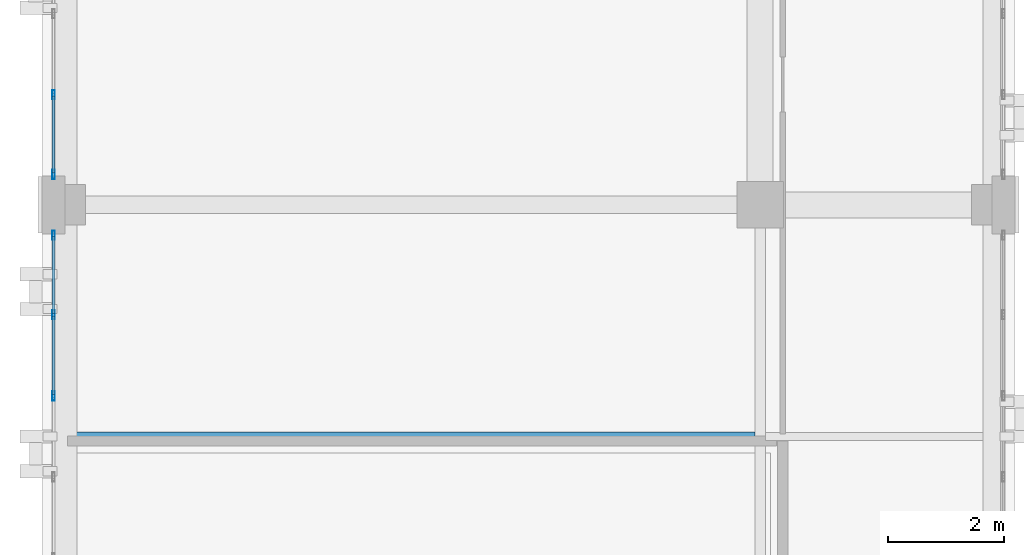
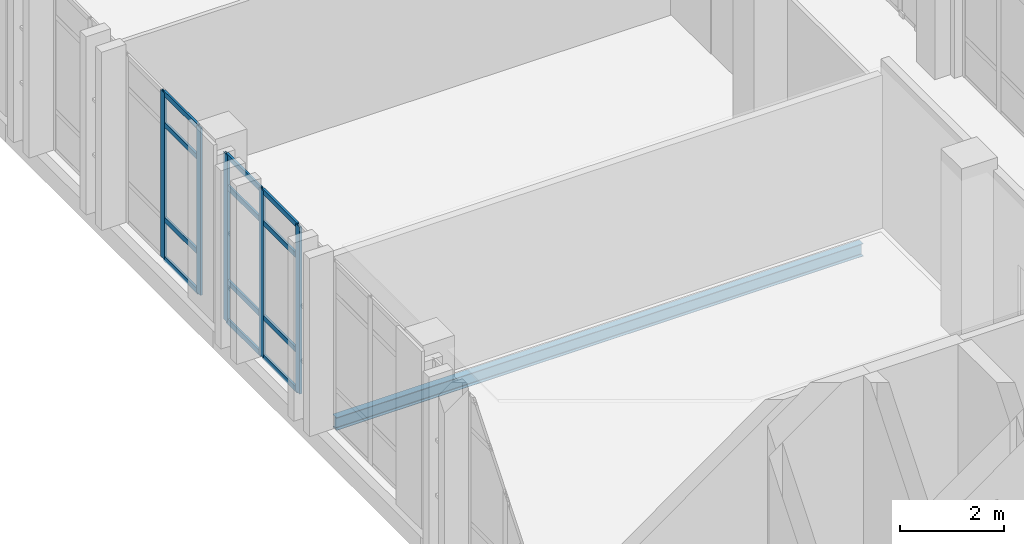
# One storey, part 37 of 158: 17 members, 1 beam, 2 elements without a shape of their own.
"""IFC4 building model written with IfcOpenShell, lengths in metres."""

import ifcopenshell
import ifcopenshell.guid

model = None  # the IFC model being written
_history = None  # IfcOwnerHistory: only IFC2X3 demands one
_inside = {}  # id of a spatial element -> (the spatial element, [elements in it])
_under = {}  # id of a project, library or spatial element -> (it, [spatial elements below it])
_declared = {}  # id of a project -> (the project, [libraries it declares])
_typed = {}  # id of a type object -> (the type object, [elements of that type])
_made_of = {}  # id of a material, layer set ... -> (it, [elements and type objects made of it])


def new_model(schema):
    """Start an empty IFC model of exactly this schema.

    Asked for "IFC4X3", IfcOpenShell would pick the latest addendum, in which some entities
    have other attributes; the version numbers below select the first issue.
    IFC2X3 requires an IfcOwnerHistory on every rooted entity: one is made here for all.
    """
    global model, _history
    if schema == "IFC4X3":
        model = ifcopenshell.file(schema_version=(4, 3, 0, 0))
    else:
        model = ifcopenshell.file(schema=schema)
    _inside.clear()
    _under.clear()
    _declared.clear()
    _typed.clear()
    _made_of.clear()
    _history = None
    if model.schema == "IFC2X3":
        org = make("IfcOrganization", Name="unknown")
        user = make(
            "IfcPersonAndOrganization",
            ThePerson=make("IfcPerson", FamilyName="unknown"),
            TheOrganization=org,
        )
        app = make(
            "IfcApplication",
            ApplicationDeveloper=org,
            Version="unknown",
            ApplicationFullName="unknown",
            ApplicationIdentifier="unknown",
        )
        _history = make(
            "IfcOwnerHistory",
            OwningUser=user,
            OwningApplication=app,
            ChangeAction="ADDED",
            CreationDate=0,
        )
    return model


def make(cls, **values):
    """One entity of the class cls with the attributes given. An attribute that is None is left unset."""
    return model.create_entity(
        cls, **{name: value for name, value in values.items() if value is not None}
    )


def rooted(cls, **values):
    """An entity with a GlobalId (a new one), such as an element, a storey or a relation."""
    return make(cls, GlobalId=ifcopenshell.guid.new(), OwnerHistory=_history, **values)


def si_unit(unit_type, name, prefix=None):
    """IfcSIUnit, for example si_unit("LENGTHUNIT", "METRE", prefix="MILLI")."""
    return make("IfcSIUnit", UnitType=unit_type, Prefix=prefix, Name=name)


def assignment(units):
    """IfcUnitAssignment: the units of a project."""
    return None if units is None else make("IfcUnitAssignment", Units=units)


def point(xyz):
    """IfcCartesianPoint."""
    return None if xyz is None else make("IfcCartesianPoint", Coordinates=xyz)


def direction(xyz):
    """IfcDirection."""
    return None if xyz is None else make("IfcDirection", DirectionRatios=xyz)


def frame(location, z_axis=None, x_axis=None):
    """IfcAxis2Placement3D, a coordinate frame: its origin and axes. An axis left out is left unset."""
    return make(
        "IfcAxis2Placement3D",
        Location=point(location),
        Axis=direction(z_axis),
        RefDirection=direction(x_axis),
    )


def frame_2d(location, x_axis=None):
    """IfcAxis2Placement2D, a coordinate frame in the plane: its origin and x axis."""
    return make(
        "IfcAxis2Placement2D", Location=point(location), RefDirection=direction(x_axis)
    )


def origin():
    """The frame at (0, 0, 0) with its axes left unset."""
    return frame((0.0, 0.0, 0.0))


def origin_2d():
    """The frame at (0, 0) in the plane with its x axis left unset."""
    return frame_2d((0.0, 0.0))


def place(relative_to, where):
    """IfcLocalPlacement: puts the frame where relative to a parent placement (None: the world)."""
    return make(
        "IfcLocalPlacement", PlacementRelTo=relative_to, RelativePlacement=where
    )


def context(
    kind, dimensions, precision=None, world=None, true_north=None, identifier=None
):
    """IfcGeometricRepresentationContext, for example the 3D "Model" context."""
    return make(
        "IfcGeometricRepresentationContext",
        ContextIdentifier=identifier,
        ContextType=kind,
        CoordinateSpaceDimension=dimensions,
        Precision=precision,
        WorldCoordinateSystem=world,
        TrueNorth=true_north,
    )


def subcontext(parent, identifier, kind, view, scale=None):
    """IfcGeometricRepresentationSubContext, for example "Body" below "Model"."""
    return make(
        "IfcGeometricRepresentationSubContext",
        ContextIdentifier=identifier,
        ContextType=kind,
        ParentContext=parent,
        TargetScale=scale,
        TargetView=view,
    )


def project(units=None, contexts=None):
    """IfcProject with its units and contexts."""
    return rooted(
        "IfcProject",
        Name="project",
        RepresentationContexts=contexts,
        UnitsInContext=assignment(units),
    )


def spatial(cls, under=None, at=None, **own):
    """A site, building, storey or space (cls), placed at a placement, below another one or the project."""
    s = rooted(cls, ObjectPlacement=at, **own)
    if under is not None:
        _under.setdefault(under.id(), (under, []))[1].append(s)
    return s


def profile(cls, at=None, kind="AREA", **sizes):
    """A parametric profile (cls). Its sizes go by their IFC names, for example OverallWidth=200.0."""
    return make(cls, ProfileType=kind, Position=at, **sizes)


def hollow_rectangle(**sizes):
    """IfcRectangleHollowProfileDef."""
    return profile("IfcRectangleHollowProfileDef", **sizes)


def i_section(**sizes):
    """IfcIShapeProfileDef."""
    return profile("IfcIShapeProfileDef", **sizes)


def extrude(swept, where, along, depth):
    """IfcExtrudedAreaSolid: the profile swept, set in the frame where, extruded along a direction by depth."""
    return make(
        "IfcExtrudedAreaSolid",
        SweptArea=swept,
        Position=where,
        ExtrudedDirection=direction(along),
        Depth=depth,
    )


def shape(context_of_items, identifier, shape_type, items):
    """IfcShapeRepresentation: the items that make up one representation, for example the "Body"."""
    return make(
        "IfcShapeRepresentation",
        ContextOfItems=context_of_items,
        RepresentationIdentifier=identifier,
        RepresentationType=shape_type,
        Items=items,
    )


def material(Name=None, Category=None):
    """IfcMaterial."""
    return make("IfcMaterial", Name=Name, Category=Category)


def layer(
    of_material, thickness, ventilated=None, Name=None, Category=None, Priority=None
):
    """IfcMaterialLayer: one layer of a wall or slab, of a material (None: an air gap)."""
    return make(
        "IfcMaterialLayer",
        Material=of_material,
        LayerThickness=thickness,
        IsVentilated=ventilated,
        Name=Name,
        Category=Category,
        Priority=Priority,
    )


def layer_set(layers, Name=None):
    """IfcMaterialLayerSet."""
    return make("IfcMaterialLayerSet", MaterialLayers=layers, LayerSetName=Name)


def material_profile(
    of_material, cross_section, Name=None, Category=None, Priority=None
):
    """IfcMaterialProfile: a cross section and its material."""
    return make(
        "IfcMaterialProfile",
        Name=Name,
        Material=of_material,
        Profile=cross_section,
        Priority=Priority,
        Category=Category,
    )


def profile_set(profiles, Name=None, composite=None):
    """IfcMaterialProfileSet."""
    return make(
        "IfcMaterialProfileSet",
        Name=Name,
        MaterialProfiles=profiles,
        CompositeProfile=composite,
    )


def made_of(thing, what):
    """Note that an element or type object is made of a material, layer set ...; save() writes the relation."""
    if what is not None:
        _made_of.setdefault(what.id(), (what, []))[1].append(thing)
    return thing


def type_object(cls, material=None, **own):
    """A type object (cls), such as IfcWallType, which elements share."""
    return made_of(rooted(cls, **own), material)


def element(
    cls,
    number,
    at=None,
    inside=None,
    cuts=None,
    type_object=None,
    material=None,
    context=None,
    identifier="Body",
    shape_type=None,
    held_by="IfcProductDefinitionShape",
    body=None,
    shapes=None,
    **own,
):
    """One element of the class cls, such as IfcWall. Its Tag is "e" and its number.

    at: its placement. inside: the storey or other place that contains it. cuts: it is an
    opening in that element (IfcRelVoidsElement). A single representation is given by context,
    identifier, shape_type and body (its items); several are given by shapes. held_by: the class
    of the entity that holds the representations. save() writes the other relations.
    """
    e = rooted(cls, Tag="e%d" % number, ObjectPlacement=at, **own)
    if body is not None:
        shapes = [shape(context, identifier, shape_type, body)]
    if shapes is not None:
        e.Representation = make(held_by, Representations=shapes)
    if inside is not None:
        _inside.setdefault(inside.id(), (inside, []))[1].append(e)
    if cuts is not None:
        rooted(
            "IfcRelVoidsElement", RelatingBuildingElement=cuts, RelatedOpeningElement=e
        )
    if type_object is not None:
        _typed.setdefault(type_object.id(), (type_object, []))[1].append(e)
    return made_of(e, material)


def aggregate(whole, parts):
    """IfcRelAggregates: a whole, such as a stair, and the parts it consists of."""
    return rooted("IfcRelAggregates", RelatingObject=whole, RelatedObjects=parts)


def save(model, path):
    """Write the relations noted so far, then the file.

    IfcRelAggregates (storeys below a building ...), IfcRelContainedInSpatialStructure (elements
    in a storey), IfcRelDefinesByType, IfcRelAssociatesMaterial and IfcRelDeclares: one each for
    every whole, place, type object, material and project.
    """
    for whole, parts in _under.values():
        aggregate(whole, parts)
    for where, things in _inside.values():
        rooted(
            "IfcRelContainedInSpatialStructure",
            RelatedElements=things,
            RelatingStructure=where,
        )
    for kind, things in _typed.values():
        rooted("IfcRelDefinesByType", RelatedObjects=things, RelatingType=kind)
    for what, things in _made_of.values():
        rooted("IfcRelAssociatesMaterial", RelatedObjects=things, RelatingMaterial=what)
    for by, libraries in _declared.values():
        rooted("IfcRelDeclares", RelatingContext=by, RelatedDefinitions=libraries)
    model.write(path)


model = new_model("IFC4")

# Units and contexts
model_context = context("Model", 3, precision=1e-05, world=origin(), true_north=direction((0.0, 1.0)))
body_context = subcontext(model_context, "Body", "Model", "MODEL_VIEW")
ifc_project = project(units=[si_unit("LENGTHUNIT", "METRE"), si_unit("AREAUNIT", "SQUARE_METRE"), si_unit("VOLUMEUNIT", "CUBIC_METRE"), si_unit("PLANEANGLEUNIT", "RADIAN"), si_unit("MASSUNIT", "GRAM", prefix="KILO")], contexts=[model_context])

# Site, building, storey
site_placement = place(None, origin())
site = spatial("IfcSite", under=ifc_project, at=site_placement, CompositionType="ELEMENT")
building_placement = place(site_placement, origin())
building = spatial("IfcBuilding", under=site, at=building_placement, Name="Qalavern Law Courts", CompositionType="ELEMENT")
storey_placement = place(building_placement, frame((0.0, 0.0, 18.60009765625)))
storey = spatial("IfcBuildingStorey", under=building, at=storey_placement, Name="L04", CompositionType="ELEMENT", Elevation=18.60009765625)

# Curtain wall, members
ifc_material_1 = material(Name="Anodised aluminium and insulated glazing", Category="aluminium")
ifc_layer = layer(ifc_material_1, 0.159912109375)
ifc_layer_set = layer_set([ifc_layer], Name="Anodised aluminium and insulated glazing")
curtain_wall_type = type_object("IfcCurtainWallType", Name="ENV-CW-CHAMB", PredefinedType="USERDEFINED", material=ifc_layer_set)
curtain_wall_1_placement = place(storey_placement, origin())
curtain_wall_1 = element("IfcCurtainWall", 1, at=curtain_wall_1_placement, inside=storey, type_object=curtain_wall_type, Name="V3 unitised curtain wall L04 west 4", ObjectType="UNITISED CURTAIN WALL", PredefinedType="USERDEFINED")
ifc_material_2 = material(Name="Anodised aluminium", Category="aluminium")
ifc_material_profile_1 = material_profile(ifc_material_2, hollow_rectangle(XDim=0.048095703125, YDim=0.159912109375, WallThickness=0.00390625, at=origin_2d()), Name="ALU MULLION 48x160")
ifc_profile_set_1 = profile_set([ifc_material_profile_1], Name="Anodised aluminium")
member_type_1 = type_object("IfcMemberType", Name="ENV-CWM-48x160", PredefinedType="MULLION", material=ifc_profile_set_1)
member_1_placement = place(storey_placement, frame((2.199951171875, 67.300048828125, 0.0), z_axis=(0.0, 0.0, 1.0), x_axis=(1.0, 0.0, 0.0)))
member_1 = element("IfcMember", 2, at=member_1_placement, type_object=member_type_1, Name="CW-04 mullion 5", PredefinedType="MULLION", context=body_context, shape_type="SweptSolid", body=[
    extrude(hollow_rectangle(XDim=0.048095703125, YDim=0.159912109375, WallThickness=0.00390625, at=origin_2d()), origin(), (0.0, 0.0, 1.0), 3.9248046875),
])
member_2_placement = place(storey_placement, frame((2.199951171875, 65.924072265625, 0.0), z_axis=(0.0, 0.0, 1.0), x_axis=(1.0, 0.0, 0.0)))
member_2 = element("IfcMember", 3, at=member_2_placement, type_object=member_type_1, Name="CW-04 mullion 6", PredefinedType="MULLION", context=body_context, shape_type="SweptSolid", body=[
    extrude(hollow_rectangle(XDim=0.048095703125, YDim=0.159912109375, WallThickness=0.00390625, at=origin_2d()), origin(), (0.0, 0.0, 1.0), 3.9248046875),
])

curtain_wall_2_placement = place(storey_placement, origin())
curtain_wall_2 = element("IfcCurtainWall", 4, at=curtain_wall_2_placement, inside=storey, type_object=curtain_wall_type, Name="V3 unitised curtain wall L04 west 5", ObjectType="UNITISED CURTAIN WALL", PredefinedType="USERDEFINED")
member_3_placement = place(storey_placement, frame((2.199951171875, 64.8759765625, 0.0), z_axis=(0.0, 0.0, 1.0), x_axis=(1.0, 0.0, 0.0)))
member_3 = element("IfcMember", 5, at=member_3_placement, type_object=member_type_1, Name="CW-04 mullion 1", PredefinedType="MULLION", context=body_context, shape_type="SweptSolid", body=[
    extrude(hollow_rectangle(XDim=0.048095703125, YDim=0.159912109375, WallThickness=0.00390625, at=origin_2d()), origin(), (0.0, 0.0, 1.0), 3.9248046875),
])
member_4_placement = place(storey_placement, frame((2.199951171875, 63.5, 0.0), z_axis=(0.0, 0.0, 1.0), x_axis=(1.0, 0.0, 0.0)))
member_4 = element("IfcMember", 6, at=member_4_placement, type_object=member_type_1, Name="CW-04 mullion 2", PredefinedType="MULLION", context=body_context, shape_type="SweptSolid", body=[
    extrude(hollow_rectangle(XDim=0.048095703125, YDim=0.159912109375, WallThickness=0.00390625, at=origin_2d()), origin(), (0.0, 0.0, 1.0), 3.9248046875),
])
member_5_placement = place(storey_placement, frame((2.199951171875, 62.10009765625, 0.0), z_axis=(0.0, 0.0, 1.0), x_axis=(1.0, 0.0, 0.0)))
member_5 = element("IfcMember", 7, at=member_5_placement, type_object=member_type_1, Name="CW-04 mullion 3", PredefinedType="MULLION", context=body_context, shape_type="SweptSolid", body=[
    extrude(hollow_rectangle(XDim=0.048095703125, YDim=0.159912109375, WallThickness=0.00390625, at=origin_2d()), origin(), (0.0, 0.0, 1.0), 3.9248046875),
])

# Member
ifc_material_profile_2 = material_profile(ifc_material_2, hollow_rectangle(XDim=0.048095703125, YDim=0.1201171875, WallThickness=0.00390625, at=origin_2d()), Name="ALU TRANSOM 48x120")
ifc_profile_set_2 = profile_set([ifc_material_profile_2], Name="Anodised aluminium")
member_type_2 = type_object("IfcMemberType", Name="ENV-CWT-48x120", PredefinedType="USERDEFINED", material=ifc_profile_set_2)
member_6_placement = place(storey_placement, frame((2.199951171875, 67.27587890625, 0.02392578125), z_axis=(0.0, -1.0, 0.0), x_axis=(1.0, 0.0, 0.0)))
member_6 = element("IfcMember", 8, at=member_6_placement, type_object=member_type_2, Name="CW-04 transom 5.1", ObjectType="TRANSOM", PredefinedType="USERDEFINED", context=body_context, shape_type="SweptSolid", body=[
    extrude(hollow_rectangle(XDim=0.048095703125, YDim=0.1201171875, WallThickness=0.00390625, at=origin_2d()), origin(), (0.0, 0.0, 1.0), 1.327880859375),
])

member_7_placement = place(storey_placement, frame((2.199951171875, 67.27587890625, 0.949951171875), z_axis=(0.0, -1.0, 0.0), x_axis=(1.0, 0.0, 0.0)))
member_7 = element("IfcMember", 9, at=member_7_placement, type_object=member_type_2, Name="CW-04 transom 5.2", ObjectType="TRANSOM", PredefinedType="USERDEFINED", context=body_context, shape_type="SweptSolid", body=[
    extrude(hollow_rectangle(XDim=0.048095703125, YDim=0.1201171875, WallThickness=0.00390625, at=origin_2d()), origin(), (0.0, 0.0, 1.0), 1.327880859375),
])

member_8_placement = place(storey_placement, frame((2.199951171875, 67.27587890625, 3.1748046875), z_axis=(0.0, -1.0, 0.0), x_axis=(1.0, 0.0, 0.0)))
member_8 = element("IfcMember", 10, at=member_8_placement, type_object=member_type_2, Name="CW-04 transom 5.3", ObjectType="TRANSOM", PredefinedType="USERDEFINED", context=body_context, shape_type="SweptSolid", body=[
    extrude(hollow_rectangle(XDim=0.048095703125, YDim=0.1201171875, WallThickness=0.00390625, at=origin_2d()), origin(), (0.0, 0.0, 1.0), 1.327880859375),
])

member_9_placement = place(storey_placement, frame((2.199951171875, 67.27587890625, 3.90087890625), z_axis=(0.0, -1.0, 0.0), x_axis=(1.0, 0.0, 0.0)))
member_9 = element("IfcMember", 11, at=member_9_placement, type_object=member_type_2, Name="CW-04 transom 5.4", ObjectType="TRANSOM", PredefinedType="USERDEFINED", context=body_context, shape_type="SweptSolid", body=[
    extrude(hollow_rectangle(XDim=0.048095703125, YDim=0.1201171875, WallThickness=0.00390625, at=origin_2d()), origin(), (0.0, 0.0, 1.0), 1.327880859375),
])

aggregate(curtain_wall_1, [member_1, member_2, member_6, member_7, member_8, member_9])

member_10_placement = place(storey_placement, frame((2.199951171875, 64.85205078125, 0.02392578125), z_axis=(0.0, -1.0, 0.0), x_axis=(1.0, 0.0, 0.0)))
member_10 = element("IfcMember", 12, at=member_10_placement, type_object=member_type_2, Name="CW-04 transom 1.1", ObjectType="TRANSOM", PredefinedType="USERDEFINED", context=body_context, shape_type="SweptSolid", body=[
    extrude(hollow_rectangle(XDim=0.048095703125, YDim=0.1201171875, WallThickness=0.00390625, at=origin_2d()), origin(), (0.0, 0.0, 1.0), 1.328125),
])

member_11_placement = place(storey_placement, frame((2.199951171875, 64.85205078125, 0.949951171875), z_axis=(0.0, -1.0, 0.0), x_axis=(1.0, 0.0, 0.0)))
member_11 = element("IfcMember", 13, at=member_11_placement, type_object=member_type_2, Name="CW-04 transom 1.2", ObjectType="TRANSOM", PredefinedType="USERDEFINED", context=body_context, shape_type="SweptSolid", body=[
    extrude(hollow_rectangle(XDim=0.048095703125, YDim=0.1201171875, WallThickness=0.00390625, at=origin_2d()), origin(), (0.0, 0.0, 1.0), 1.328125),
])

member_12_placement = place(storey_placement, frame((2.199951171875, 64.85205078125, 3.1748046875), z_axis=(0.0, -1.0, 0.0), x_axis=(1.0, 0.0, 0.0)))
member_12 = element("IfcMember", 14, at=member_12_placement, type_object=member_type_2, Name="CW-04 transom 1.3", ObjectType="TRANSOM", PredefinedType="USERDEFINED", context=body_context, shape_type="SweptSolid", body=[
    extrude(hollow_rectangle(XDim=0.048095703125, YDim=0.1201171875, WallThickness=0.00390625, at=origin_2d()), origin(), (0.0, 0.0, 1.0), 1.328125),
])

member_13_placement = place(storey_placement, frame((2.199951171875, 64.85205078125, 3.90087890625), z_axis=(0.0, -1.0, 0.0), x_axis=(1.0, 0.0, 0.0)))
member_13 = element("IfcMember", 15, at=member_13_placement, type_object=member_type_2, Name="CW-04 transom 1.4", ObjectType="TRANSOM", PredefinedType="USERDEFINED", context=body_context, shape_type="SweptSolid", body=[
    extrude(hollow_rectangle(XDim=0.048095703125, YDim=0.1201171875, WallThickness=0.00390625, at=origin_2d()), origin(), (0.0, 0.0, 1.0), 1.328125),
])

member_14_placement = place(storey_placement, frame((2.199951171875, 63.47607421875, 0.02392578125), z_axis=(0.0, -1.0, 0.0), x_axis=(1.0, 0.0, 0.0)))
member_14 = element("IfcMember", 16, at=member_14_placement, type_object=member_type_2, Name="CW-04 transom 2.1", ObjectType="TRANSOM", PredefinedType="USERDEFINED", context=body_context, shape_type="SweptSolid", body=[
    extrude(hollow_rectangle(XDim=0.048095703125, YDim=0.1201171875, WallThickness=0.00390625, at=origin_2d()), origin(), (0.0, 0.0, 1.0), 1.35205078125),
])

member_15_placement = place(storey_placement, frame((2.199951171875, 63.47607421875, 0.949951171875), z_axis=(0.0, -1.0, 0.0), x_axis=(1.0, 0.0, 0.0)))
member_15 = element("IfcMember", 17, at=member_15_placement, type_object=member_type_2, Name="CW-04 transom 2.2", ObjectType="TRANSOM", PredefinedType="USERDEFINED", context=body_context, shape_type="SweptSolid", body=[
    extrude(hollow_rectangle(XDim=0.048095703125, YDim=0.1201171875, WallThickness=0.00390625, at=origin_2d()), origin(), (0.0, 0.0, 1.0), 1.35205078125),
])

member_16_placement = place(storey_placement, frame((2.199951171875, 63.47607421875, 3.1748046875), z_axis=(0.0, -1.0, 0.0), x_axis=(1.0, 0.0, 0.0)))
member_16 = element("IfcMember", 18, at=member_16_placement, type_object=member_type_2, Name="CW-04 transom 2.3", ObjectType="TRANSOM", PredefinedType="USERDEFINED", context=body_context, shape_type="SweptSolid", body=[
    extrude(hollow_rectangle(XDim=0.048095703125, YDim=0.1201171875, WallThickness=0.00390625, at=origin_2d()), origin(), (0.0, 0.0, 1.0), 1.35205078125),
])

member_17_placement = place(storey_placement, frame((2.199951171875, 63.47607421875, 3.90087890625), z_axis=(0.0, -1.0, 0.0), x_axis=(1.0, 0.0, 0.0)))
member_17 = element("IfcMember", 19, at=member_17_placement, type_object=member_type_2, Name="CW-04 transom 2.4", ObjectType="TRANSOM", PredefinedType="USERDEFINED", context=body_context, shape_type="SweptSolid", body=[
    extrude(hollow_rectangle(XDim=0.048095703125, YDim=0.1201171875, WallThickness=0.00390625, at=origin_2d()), origin(), (0.0, 0.0, 1.0), 1.35205078125),
])

aggregate(curtain_wall_2, [member_3, member_4, member_5, member_10, member_11, member_12, member_13, member_14, member_15, member_16, member_17])

# Beam
ifc_material_3 = material(Name="Steel S355", Category="steel")
ifc_material_profile_3 = material_profile(ifc_material_3, i_section(OverallWidth=0.14990234375, OverallDepth=0.300048828125, WebThickness=0.007080078125, FlangeThickness=0.0107421875, FilletRadius=0.014892578125, at=origin_2d()), Name="IPE 300")
ifc_profile_set_3 = profile_set([ifc_material_profile_3], Name="Steel S355")
beam_type = type_object("IfcBeamType", Name="STR-JST-IPE300", PredefinedType="JOIST", material=ifc_profile_set_3)
beam_placement = place(storey_placement, frame((2.597900390625, 61.39990234375, -0.43017578125), z_axis=(1.0, 0.0, 0.0), x_axis=(0.0, 1.0, 0.0)))
element("IfcBeam", 20, at=beam_placement, inside=storey, type_object=beam_type, Name="V3 secondary joist 1.3.1 L04", PredefinedType="JOIST", context=body_context, shape_type="SweptSolid", body=[
    extrude(i_section(OverallWidth=0.14990234375, OverallDepth=0.300048828125, WebThickness=0.007080078125, FlangeThickness=0.0107421875, FilletRadius=0.014892578125, at=origin_2d()), origin(), (0.0, 0.0, 1.0), 11.714111328125),
])

save(model, "model.ifc")
